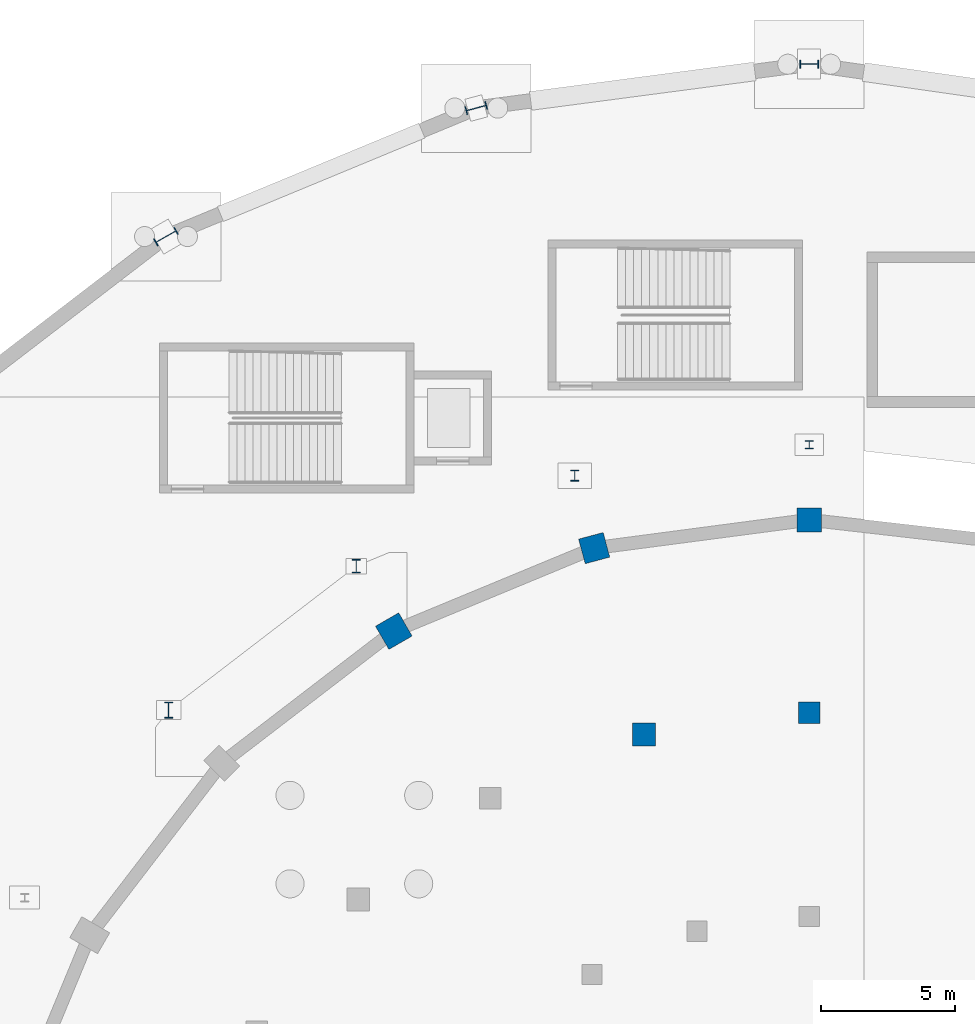
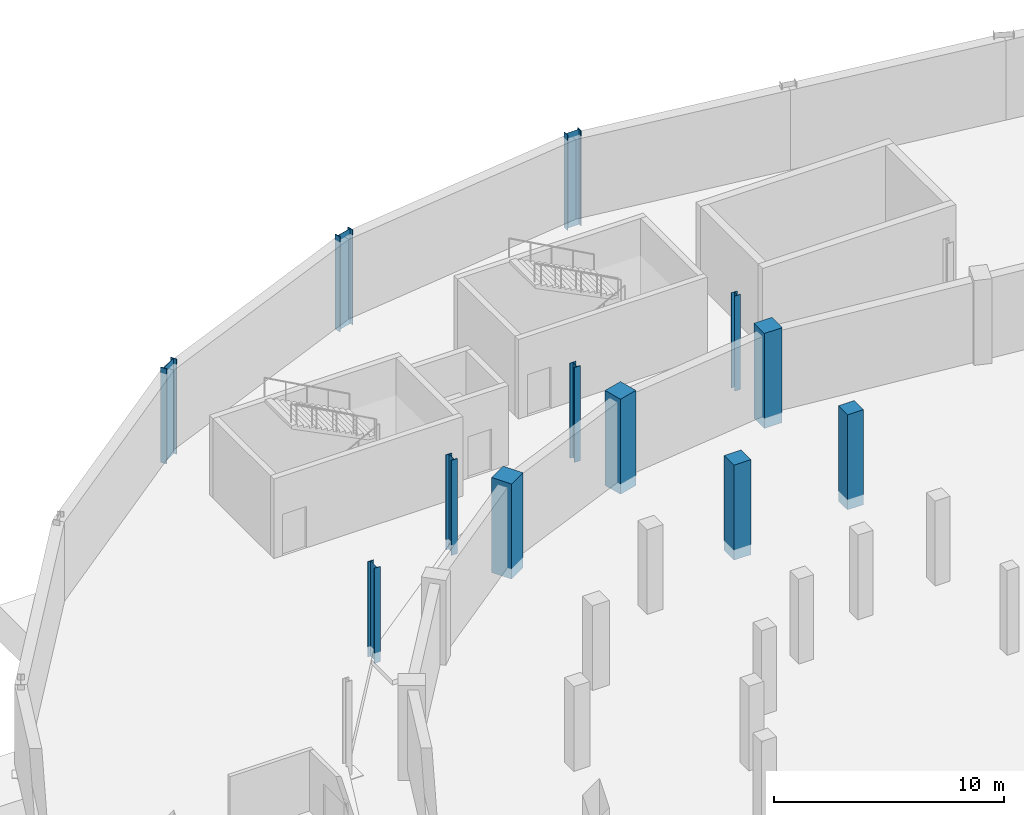
# One storey, part 23 of 55: 12 columns.
"""IFC4 building model written with IfcOpenShell, lengths in metres."""

from ifc_helpers import new_model, si_unit, direction, frame, origin, origin_2d, place, context, subcontext, project, spatial, rectangle, i_section, extrude, material, material_profile, profile_set, type_object, element, save


model = new_model("IFC4")

# Units and contexts
model_context = context("Model", 3, precision=1e-05, world=origin(), true_north=direction((0.0, 1.0)))
body_context = subcontext(model_context, "Body", "Model", "MODEL_VIEW")
ifc_project = project(units=[si_unit("LENGTHUNIT", "METRE"), si_unit("AREAUNIT", "SQUARE_METRE"), si_unit("VOLUMEUNIT", "CUBIC_METRE"), si_unit("PLANEANGLEUNIT", "RADIAN"), si_unit("MASSUNIT", "GRAM", prefix="KILO")], contexts=[model_context])

# Site, building, storey
site_placement = place(None, origin())
site = spatial("IfcSite", under=ifc_project, at=site_placement, CompositionType="ELEMENT")
building_placement = place(site_placement, origin())
building = spatial("IfcBuilding", under=site, at=building_placement, Name="Sohan Crest Arena", CompositionType="ELEMENT")
storey_placement = place(building_placement, frame((0.0, 0.0, -4.5)))
storey = spatial("IfcBuildingStorey", under=building, at=storey_placement, Name="B1", CompositionType="ELEMENT", Elevation=-4.5)

# Columns
ifc_material_1 = material(Name="Concrete C40/50", Category="concrete")
ifc_material_profile_1 = material_profile(ifc_material_1, rectangle(XDim=0.800048828125, YDim=0.800048828125, at=origin_2d()), Name="RC 800x800")
ifc_profile_set_1 = profile_set([ifc_material_profile_1], Name="Concrete C40/50")
column_type_1 = type_object("IfcColumnType", Name="STR-COL-C05", PredefinedType="COLUMN", material=ifc_profile_set_1)
column_1_placement = place(storey_placement, frame((98.0, 101.800048828125, -0.550048828125), z_axis=(0.0, 0.0, 1.0), x_axis=(1.0, 0.0, 0.0)))
element("IfcColumn", 1, at=column_1_placement, inside=storey, type_object=column_type_1, Name="Structural column COL-V1M-01-B1", PredefinedType="COLUMN", context=body_context, shape_type="SweptSolid", body=[
    extrude(rectangle(XDim=0.800048828125, YDim=0.800048828125, at=origin_2d()), origin(), (0.0, 0.0, 1.0), 5.050048828125),
])
ifc_material_profile_2 = material_profile(ifc_material_1, rectangle(XDim=0.85009765625, YDim=0.85009765625, at=origin_2d()), Name="RC 850x850")
ifc_profile_set_2 = profile_set([ifc_material_profile_2], Name="Concrete C40/50")
column_type_2 = type_object("IfcColumnType", Name="STR-COL-C06", PredefinedType="COLUMN", material=ifc_profile_set_2)
column_2_placement = place(storey_placement, frame((91.840087890625, 100.989013671875, -0.550048828125), z_axis=(0.0, 0.0, 1.0), x_axis=(1.0, 0.0, 0.0)))
element("IfcColumn", 2, at=column_2_placement, inside=storey, type_object=column_type_2, Name="Structural column COL-V1M-02-B1", PredefinedType="COLUMN", context=body_context, shape_type="SweptSolid", body=[
    extrude(rectangle(XDim=0.85009765625, YDim=0.85009765625, at=origin_2d()), origin(), (0.0, 0.0, 1.0), 5.050048828125),
])
ifc_material_profile_3 = material_profile(ifc_material_1, rectangle(XDim=0.89990234375, YDim=0.89990234375, at=origin_2d()), Name="RC 900x900")
ifc_profile_set_3 = profile_set([ifc_material_profile_3], Name="Concrete C40/50")
column_type_3 = type_object("IfcColumnType", Name="STR-COL-C07", PredefinedType="COLUMN", material=ifc_profile_set_3)
column_3_placement = place(storey_placement, frame((98.0, 109.0, -0.550048828125), z_axis=(0.0, 0.0, 1.0), x_axis=(0.0, 1.0, 0.0)))
element("IfcColumn", 3, at=column_3_placement, inside=storey, type_object=column_type_3, Name="Structural column COL-V1R-01-B1", PredefinedType="COLUMN", context=body_context, shape_type="SweptSolid", body=[
    extrude(rectangle(XDim=0.89990234375, YDim=0.89990234375, at=origin_2d()), origin(), (0.0, 0.0, 1.0), 5.050048828125),
])
ifc_material_profile_4 = material_profile(ifc_material_1, rectangle(XDim=0.949951171875, YDim=0.949951171875, at=origin_2d()), Name="RC 950x950")
ifc_profile_set_4 = profile_set([ifc_material_profile_4], Name="Concrete C40/50")
column_type_4 = type_object("IfcColumnType", Name="STR-COL-C08", PredefinedType="COLUMN", material=ifc_profile_set_4)
column_4_placement = place(storey_placement, frame((89.97705078125, 107.944091796875, -0.550048828125), z_axis=(0.0, 0.0, 1.0), x_axis=(-0.258819045103, 0.965925826289, 0.0)))
element("IfcColumn", 4, at=column_4_placement, inside=storey, type_object=column_type_4, Name="Structural column COL-V1R-02-B1", PredefinedType="COLUMN", context=body_context, shape_type="SweptSolid", body=[
    extrude(rectangle(XDim=0.949951171875, YDim=0.949951171875, at=origin_2d()), origin(), (0.0, 0.0, 1.0), 5.050048828125),
])
ifc_material_profile_5 = material_profile(ifc_material_1, rectangle(XDim=1.0, YDim=1.0, at=origin_2d()), Name="RC 1000x1000")
ifc_profile_set_5 = profile_set([ifc_material_profile_5], Name="Concrete C40/50")
column_type_5 = type_object("IfcColumnType", Name="STR-COL-C09", PredefinedType="COLUMN", material=ifc_profile_set_5)
column_5_placement = place(storey_placement, frame((82.5, 104.846923828125, -0.550048828125), z_axis=(0.0, 0.0, 1.0), x_axis=(-0.5, 0.866025403784, 0.0)))
element("IfcColumn", 5, at=column_5_placement, inside=storey, type_object=column_type_5, Name="Structural column COL-V1R-03-B1", PredefinedType="COLUMN", context=body_context, shape_type="SweptSolid", body=[
    extrude(rectangle(XDim=1.0, YDim=1.0, at=origin_2d()), origin(), (0.0, 0.0, 1.0), 5.050048828125),
])
ifc_material_2 = material(Name="Steel S355", Category="steel")
ifc_material_profile_6 = material_profile(ifc_material_2, i_section(OverallWidth=0.300048828125, OverallDepth=0.300048828125, WebThickness=0.010986328125, FlangeThickness=0.01904296875, at=origin_2d()), Name="HEB 300")
ifc_profile_set_6 = profile_set([ifc_material_profile_6], Name="Steel S355")
column_type_6 = type_object("IfcColumnType", Name="STR-COL-C17", PredefinedType="COLUMN", material=ifc_profile_set_6)
column_6_placement = place(storey_placement, frame((98.0, 111.800048828125, -0.550048828125), z_axis=(0.0, 0.0, 1.0), x_axis=(1.0, 0.0, 0.0)))
element("IfcColumn", 6, at=column_6_placement, inside=storey, type_object=column_type_6, Name="Structural column COL-V2I-01-B1", PredefinedType="COLUMN", context=body_context, shape_type="SweptSolid", body=[
    extrude(i_section(OverallWidth=0.300048828125, OverallDepth=0.300048828125, WebThickness=0.010986328125, FlangeThickness=0.01904296875, at=origin_2d()), origin(), (0.0, 0.0, 1.0), 5.050048828125),
])
ifc_material_profile_7 = material_profile(ifc_material_2, i_section(OverallWidth=0.300048828125, OverallDepth=0.39990234375, WebThickness=0.013427734375, FlangeThickness=0.02392578125, at=origin_2d()), Name="HEB 400")
ifc_profile_set_7 = profile_set([ifc_material_profile_7], Name="Steel S355")
column_type_7 = type_object("IfcColumnType", Name="STR-COL-C18", PredefinedType="COLUMN", material=ifc_profile_set_7)
column_7_placement = place(storey_placement, frame((89.251953125, 110.64794921875, -0.550048828125), z_axis=(0.0, 0.0, 1.0), x_axis=(1.0, 0.0, 0.0)))
element("IfcColumn", 7, at=column_7_placement, inside=storey, type_object=column_type_7, Name="Structural column COL-V2I-02-B1", PredefinedType="COLUMN", context=body_context, shape_type="SweptSolid", body=[
    extrude(i_section(OverallWidth=0.300048828125, OverallDepth=0.39990234375, WebThickness=0.013427734375, FlangeThickness=0.02392578125, at=origin_2d()), origin(), (0.0, 0.0, 1.0), 5.050048828125),
])
ifc_material_profile_8 = material_profile(ifc_material_2, i_section(OverallWidth=0.300048828125, OverallDepth=0.5, WebThickness=0.014404296875, FlangeThickness=0.028076171875, at=origin_2d()), Name="HEB 500")
ifc_profile_set_8 = profile_set([ifc_material_profile_8], Name="Steel S355")
column_type_8 = type_object("IfcColumnType", Name="STR-COL-C19", PredefinedType="COLUMN", material=ifc_profile_set_8)
column_8_placement = place(storey_placement, frame((81.10009765625, 107.27197265625, -0.550048828125), z_axis=(0.0, 0.0, 1.0), x_axis=(1.0, 0.0, 0.0)))
element("IfcColumn", 8, at=column_8_placement, inside=storey, type_object=column_type_8, Name="Structural column COL-V2I-03-B1", PredefinedType="COLUMN", context=body_context, shape_type="SweptSolid", body=[
    extrude(i_section(OverallWidth=0.300048828125, OverallDepth=0.5, WebThickness=0.014404296875, FlangeThickness=0.028076171875, at=origin_2d()), origin(), (0.0, 0.0, 1.0), 5.050048828125),
])
ifc_material_profile_9 = material_profile(ifc_material_2, i_section(OverallWidth=0.300048828125, OverallDepth=0.60009765625, WebThickness=0.015380859375, FlangeThickness=0.030029296875, at=origin_2d()), Name="HEB 600")
ifc_profile_set_9 = profile_set([ifc_material_profile_9], Name="Steel S355")
column_type_9 = type_object("IfcColumnType", Name="STR-COL-C20", PredefinedType="COLUMN", material=ifc_profile_set_9)
column_9_placement = place(storey_placement, frame((74.10009765625, 101.89990234375, -0.550048828125), z_axis=(0.0, 0.0, 1.0), x_axis=(1.0, 0.0, 0.0)))
element("IfcColumn", 9, at=column_9_placement, inside=storey, type_object=column_type_9, Name="Structural column COL-V2I-04-B1", PredefinedType="COLUMN", context=body_context, shape_type="SweptSolid", body=[
    extrude(i_section(OverallWidth=0.300048828125, OverallDepth=0.60009765625, WebThickness=0.015380859375, FlangeThickness=0.030029296875, at=origin_2d()), origin(), (0.0, 0.0, 1.0), 5.050048828125),
])
ifc_material_profile_10 = material_profile(ifc_material_2, i_section(OverallWidth=0.300048828125, OverallDepth=0.699951171875, WebThickness=0.01708984375, FlangeThickness=0.031982421875, at=origin_2d()), Name="HEB 700")
ifc_profile_set_10 = profile_set([ifc_material_profile_10], Name="Steel S355")
column_type_10 = type_object("IfcColumnType", Name="STR-COL-C21", PredefinedType="COLUMN", material=ifc_profile_set_10)
column_10_placement = place(storey_placement, frame((98.0, 126.0, -0.550048828125), z_axis=(0.0, 0.0, 1.0), x_axis=(0.0, 1.0, 0.0)))
element("IfcColumn", 10, at=column_10_placement, inside=storey, type_object=column_type_10, Name="Structural column COL-V2O-01-B1", PredefinedType="COLUMN", context=body_context, shape_type="SweptSolid", body=[
    extrude(i_section(OverallWidth=0.300048828125, OverallDepth=0.699951171875, WebThickness=0.01708984375, FlangeThickness=0.031982421875, at=origin_2d()), origin(), (0.0, 0.0, 1.0), 5.050048828125),
])
ifc_material_profile_11 = material_profile(ifc_material_2, i_section(OverallWidth=0.300048828125, OverallDepth=0.800048828125, WebThickness=0.017578125, FlangeThickness=0.032958984375, at=origin_2d()), Name="HEB 800")
ifc_profile_set_11 = profile_set([ifc_material_profile_11], Name="Steel S355")
column_type_11 = type_object("IfcColumnType", Name="STR-COL-C22", PredefinedType="COLUMN", material=ifc_profile_set_11)
column_11_placement = place(storey_placement, frame((85.576904296875, 124.364013671875, -0.550048828125), z_axis=(0.0, 0.0, 1.0), x_axis=(-0.258819045103, 0.965925826289, 0.0)))
element("IfcColumn", 11, at=column_11_placement, inside=storey, type_object=column_type_11, Name="Structural column COL-V2O-02-B1", PredefinedType="COLUMN", context=body_context, shape_type="SweptSolid", body=[
    extrude(i_section(OverallWidth=0.300048828125, OverallDepth=0.800048828125, WebThickness=0.017578125, FlangeThickness=0.032958984375, at=origin_2d()), origin(), (0.0, 0.0, 1.0), 5.050048828125),
])
ifc_material_profile_12 = material_profile(ifc_material_2, i_section(OverallWidth=0.300048828125, OverallDepth=0.89990234375, WebThickness=0.0185546875, FlangeThickness=0.034912109375, at=origin_2d()), Name="HEB 900")
ifc_profile_set_12 = profile_set([ifc_material_profile_12], Name="Steel S355")
column_type_12 = type_object("IfcColumnType", Name="STR-COL-C23", PredefinedType="COLUMN", material=ifc_profile_set_12)
column_12_placement = place(storey_placement, frame((74.0, 119.569091796875, -0.550048828125), z_axis=(0.0, 0.0, 1.0), x_axis=(-0.5, 0.866025403784, 0.0)))
element("IfcColumn", 12, at=column_12_placement, inside=storey, type_object=column_type_12, Name="Structural column COL-V2O-03-B1", PredefinedType="COLUMN", context=body_context, shape_type="SweptSolid", body=[
    extrude(i_section(OverallWidth=0.300048828125, OverallDepth=0.89990234375, WebThickness=0.0185546875, FlangeThickness=0.034912109375, at=origin_2d()), origin(), (0.0, 0.0, 1.0), 5.050048828125),
])

save(model, "model.ifc")
